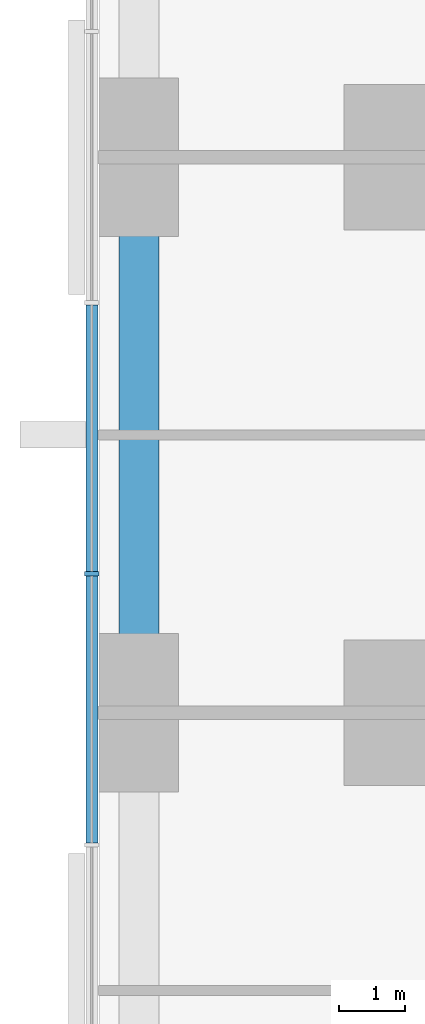
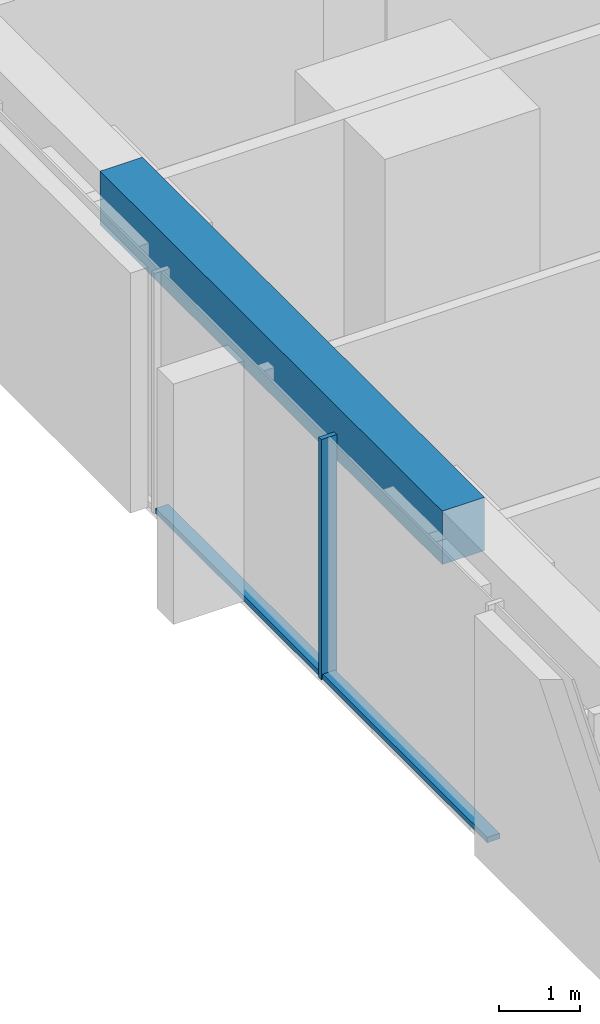
# One storey, part 3 of 13: 3 members, 1 beam, 1 element without a shape of its own.
"""IFC4 building model written with IfcOpenShell, lengths in metres."""

from ifc_helpers import new_model, si_unit, direction, frame, origin, origin_2d, place, context, subcontext, project, spatial, rectangle, extrude, material, material_profile, profile_set, type_object, element, aggregate, save


model = new_model("IFC4")

# Units and contexts
model_context = context("Model", 3, precision=1e-05, world=origin(), true_north=direction((0.0, 1.0)))
body_context = subcontext(model_context, "Body", "Model", "MODEL_VIEW")
ifc_project = project(units=[si_unit("LENGTHUNIT", "METRE"), si_unit("AREAUNIT", "SQUARE_METRE"), si_unit("VOLUMEUNIT", "CUBIC_METRE"), si_unit("PLANEANGLEUNIT", "RADIAN"), si_unit("MASSUNIT", "GRAM", prefix="KILO")], contexts=[model_context])

# Site, building, storey
site_placement = place(None, origin())
site = spatial("IfcSite", under=ifc_project, at=site_placement, CompositionType="ELEMENT")
building_placement = place(site_placement, origin())
building = spatial("IfcBuilding", under=site, at=building_placement, Name="Dunama Terrace Hotel", CompositionType="ELEMENT")
storey_placement = place(building_placement, frame((0.0, 0.0, 97.199951171875)))
storey = spatial("IfcBuildingStorey", under=building, at=storey_placement, Name="L24", CompositionType="ELEMENT", Elevation=97.199951171875)

# Curtain wall, members
ifc_material_1 = material(Name="Aluminium curtain wall system", Category="aluminium")
curtain_wall_type = type_object("IfcCurtainWallType", Name="Unitised fritted glass wall CW-B", PredefinedType="NOTDEFINED", material=ifc_material_1)
curtain_wall_placement = place(storey_placement, origin())
curtain_wall = element("IfcCurtainWall", 1, at=curtain_wall_placement, inside=storey, type_object=curtain_wall_type, Name="Unitised fritted glass wall CW-B L24", PredefinedType="NOTDEFINED")
ifc_material_2 = material(Name="Aluminium mullion", Category="aluminium")
ifc_material_profile_1 = material_profile(ifc_material_2, rectangle(XDim=0.06494140625, YDim=0.219970703125, at=origin_2d()), Name="CWB MULLION 65X220")
ifc_profile_set_1 = profile_set([ifc_material_profile_1], Name="Aluminium mullion")
member_type_1 = type_object("IfcMemberType", Name="CWB mullion 65x220", PredefinedType="MULLION", material=ifc_profile_set_1)
member_1_placement = place(storey_placement, frame((-0.110107421875, 27.300048828125, 0.0), z_axis=(0.0, 0.0, 1.0), x_axis=(0.0, -1.0, 0.0)))
member_1 = element("IfcMember", 2, at=member_1_placement, type_object=member_type_1, Name="CWB mullion", PredefinedType="MULLION", context=body_context, shape_type="SweptSolid", body=[
    extrude(rectangle(XDim=0.06494140625, YDim=0.219970703125, at=origin_2d()), origin(), (0.0, 0.0, 1.0), 3.60009765625),
])
ifc_material_3 = material(Name="Aluminium transom", Category="aluminium")
ifc_material_profile_2 = material_profile(ifc_material_3, rectangle(XDim=0.179931640625, YDim=0.080078125, at=origin_2d()), Name="CWB TRANSOM 180X80")
ifc_profile_set_2 = profile_set([ifc_material_profile_2], Name="Aluminium transom")
member_type_2 = type_object("IfcMemberType", Name="CWB transom 180x80", PredefinedType="USERDEFINED", material=ifc_profile_set_2)
member_2_placement = place(storey_placement, frame((-0.110107421875, 31.366943359375, 0.0400390625), z_axis=(0.0, -1.0, 0.0), x_axis=(1.0, 0.0, 0.0)))
member_2 = element("IfcMember", 3, at=member_2_placement, type_object=member_type_2, Name="CWB transom", ObjectType="TRANSOM", PredefinedType="USERDEFINED", context=body_context, shape_type="SweptSolid", body=[
    extrude(rectangle(XDim=0.179931640625, YDim=0.080078125, at=origin_2d()), origin(), (0.0, 0.0, 1.0), 4.034912109375),
])
member_3_placement = place(storey_placement, frame((-0.110107421875, 27.26806640625, 0.0400390625), z_axis=(0.0, -1.0, 0.0), x_axis=(1.0, 0.0, 0.0)))
member_3 = element("IfcMember", 4, at=member_3_placement, type_object=member_type_2, Name="CWB transom", ObjectType="TRANSOM", PredefinedType="USERDEFINED", context=body_context, shape_type="SweptSolid", body=[
    extrude(rectangle(XDim=0.179931640625, YDim=0.080078125, at=origin_2d()), origin(), (0.0, 0.0, 1.0), 4.03515625),
])
aggregate(curtain_wall, [member_1, member_2, member_3])

# Beam
ifc_material_4 = material(Name="Concrete C40/50", Category="concrete")
ifc_material_profile_3 = material_profile(ifc_material_4, rectangle(XDim=0.60009765625, YDim=0.800048828125, at=origin_2d()), Name="RC 600x800")
ifc_profile_set_3 = profile_set([ifc_material_profile_3], Name="Concrete C40/50")
beam_type = type_object("IfcBeamType", Name="Edge beam RC 600x800", PredefinedType="SPANDREL", material=ifc_profile_set_3)
beam_placement = place(storey_placement, frame((0.60009765625, 25.199951171875, 3.199951171875), z_axis=(0.0, 1.0, 0.0), x_axis=(-1.0, 0.0, 0.0)))
element("IfcBeam", 5, at=beam_placement, inside=storey, type_object=beam_type, Name="Edge beam under L25", PredefinedType="SPANDREL", context=body_context, shape_type="SweptSolid", body=[
    extrude(rectangle(XDim=0.60009765625, YDim=0.800048828125, at=origin_2d()), origin(), (0.0, 0.0, 1.0), 8.400146484375),
])

save(model, "model.ifc")
